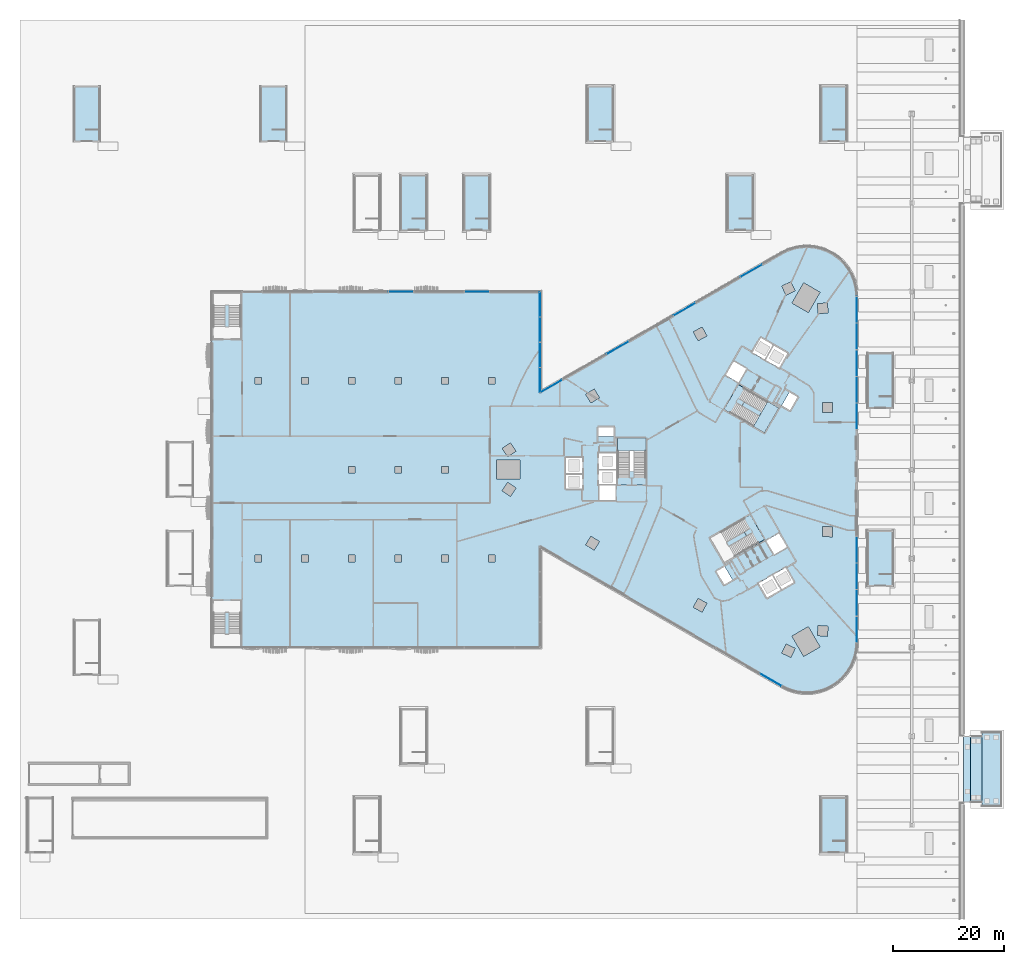
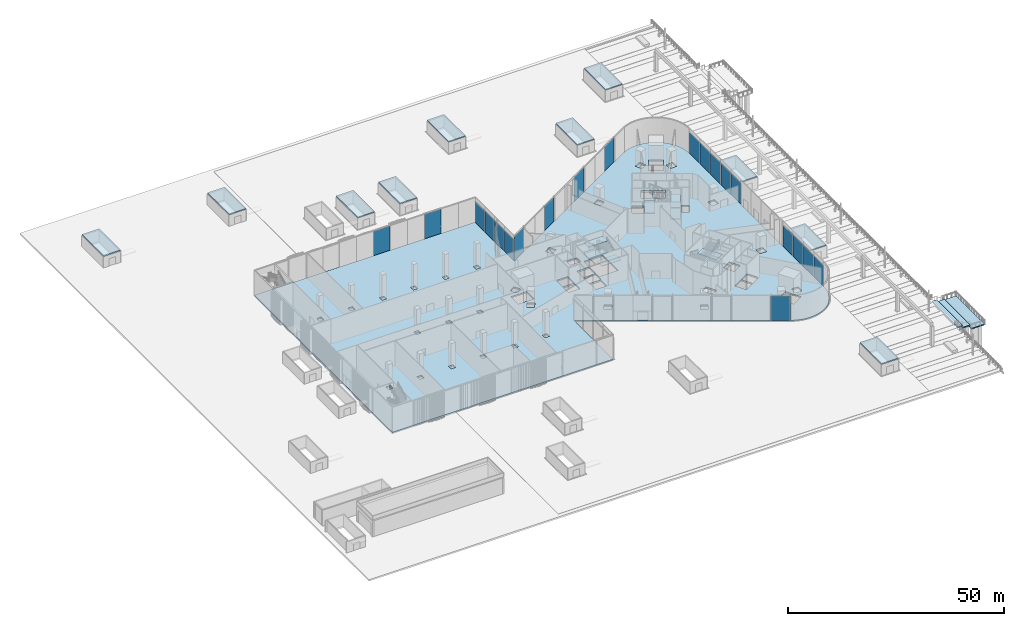
# One storey, part 10 of 41: 21 slabs, 20 plates, 6 elements without a shape of their own.
"""IFC4 building model written with IfcOpenShell, lengths in metres."""

from ifc_helpers import new_model, si_unit, direction, frame, origin, origin_2d, place, context, subcontext, project, spatial, polyline, rectangle, outline, extrude, material, layer, layer_set, type_object, element, aggregate, save


model = new_model("IFC4")

# Units and contexts
model_context = context("Model", 3, precision=1e-05, world=origin(), true_north=direction((0.0, 1.0)))
body_context = subcontext(model_context, "Body", "Model", "MODEL_VIEW")
ifc_project = project(units=[si_unit("LENGTHUNIT", "METRE"), si_unit("AREAUNIT", "SQUARE_METRE"), si_unit("VOLUMEUNIT", "CUBIC_METRE"), si_unit("PLANEANGLEUNIT", "RADIAN"), si_unit("MASSUNIT", "GRAM", prefix="KILO")], contexts=[model_context])

# Site, building, storey
site_placement = place(None, origin())
site = spatial("IfcSite", under=ifc_project, at=site_placement, CompositionType="ELEMENT")
building_placement = place(site_placement, origin())
building = spatial("IfcBuilding", under=site, at=building_placement, Name="Tamra Quay Hotel Tower", CompositionType="ELEMENT")
storey_placement = place(building_placement, origin())
storey = spatial("IfcBuildingStorey", under=building, at=storey_placement, Name="L00", CompositionType="ELEMENT", Elevation=0.0)

# Slabs
ifc_material_1 = material(Name="Concrete M60", Category="concrete")
ifc_layer_1 = layer(ifc_material_1, 0.300048828125)
ifc_layer_set_1 = layer_set([ifc_layer_1], Name="Concrete M60 ramp hall roof slab 300")
slab_type_1 = type_object("IfcSlabType", Name="Concrete M60 ramp hall roof slab 300", PredefinedType="ROOF", material=ifc_layer_set_1)
slab_1_placement = place(storey_placement, frame((0.0, 0.0, 3.199951171875)))
element("IfcSlab", 1, at=slab_1_placement, inside=storey, type_object=slab_type_1, Name="Exit stair BS2 roof", PredefinedType="ROOF", context=body_context, shape_type="SweptSolid", body=[
    extrude(outline(polyline([(-109.300048828125, 59.0), (-109.300048828125, 69.0), (-113.85009765625, 69.0), (-113.85009765625, 59.0), (-109.300048828125, 59.0)])), origin(), (0.0, 0.0, 1.0), 0.300048828125),
])
slab_2_placement = place(storey_placement, frame((0.0, 0.0, 3.199951171875)))
element("IfcSlab", 2, at=slab_2_placement, inside=storey, type_object=slab_type_1, Name="Exit stair BS5 roof", PredefinedType="ROOF", context=body_context, shape_type="SweptSolid", body=[
    extrude(outline(polyline([(-75.699951171875, 59.0), (-75.699951171875, 69.0), (-80.25, 69.0), (-80.25, 59.0), (-75.699951171875, 59.0)])), origin(), (0.0, 0.0, 1.0), 0.300048828125),
])
slab_3_placement = place(storey_placement, frame((0.0, 0.0, 3.199951171875)))
element("IfcSlab", 3, at=slab_3_placement, inside=storey, type_object=slab_type_1, Name="Exit stair BS9 roof", PredefinedType="ROOF", context=body_context, shape_type="SweptSolid", body=[
    extrude(outline(polyline([(-50.5, 43.0), (-50.5, 53.0), (-55.050048828125, 53.0), (-55.050048828125, 43.0), (-50.5, 43.0)])), origin(), (0.0, 0.0, 1.0), 0.300048828125),
])
slab_4_placement = place(storey_placement, frame((0.0, 0.0, 3.199951171875)))
element("IfcSlab", 4, at=slab_4_placement, inside=storey, type_object=slab_type_1, Name="Exit stair BS11 roof", PredefinedType="ROOF", context=body_context, shape_type="SweptSolid", body=[
    extrude(outline(polyline([(-16.89990234375, 59.0), (-16.89990234375, 69.0), (-21.449951171875, 69.0), (-21.449951171875, 59.0), (-16.89990234375, 59.0)])), origin(), (0.0, 0.0, 1.0), 0.300048828125),
])
slab_5_placement = place(storey_placement, frame((0.0, 0.0, 3.199951171875)))
element("IfcSlab", 5, at=slab_5_placement, inside=storey, type_object=slab_type_1, Name="Exit stair BS12 roof", PredefinedType="ROOF", context=body_context, shape_type="SweptSolid", body=[
    extrude(outline(polyline([(8.300048828125, 43.0), (8.300048828125, 53.0), (3.75, 53.0), (3.75, 43.0), (8.300048828125, 43.0)])), origin(), (0.0, 0.0, 1.0), 0.300048828125),
])
slab_6_placement = place(storey_placement, frame((0.0, 0.0, 3.199951171875)))
element("IfcSlab", 6, at=slab_6_placement, inside=storey, type_object=slab_type_1, Name="Exit stair BS13 roof", PredefinedType="ROOF", context=body_context, shape_type="SweptSolid", body=[
    extrude(outline(polyline([(25.10009765625, -69.0), (25.10009765625, -59.0), (20.550048828125, -59.0), (20.550048828125, -69.0), (25.10009765625, -69.0)])), origin(), (0.0, 0.0, 1.0), 0.300048828125),
])
slab_7_placement = place(storey_placement, frame((0.0, 0.0, 3.199951171875)))
element("IfcSlab", 7, at=slab_7_placement, inside=storey, type_object=slab_type_1, Name="Exit stair BS14 roof", PredefinedType="ROOF", context=body_context, shape_type="SweptSolid", body=[
    extrude(outline(polyline([(25.10009765625, 59.0), (25.10009765625, 69.0), (20.550048828125, 69.0), (20.550048828125, 59.0), (25.10009765625, 59.0)])), origin(), (0.0, 0.0, 1.0), 0.300048828125),
])
slab_8_placement = place(storey_placement, frame((0.0, 0.0, 3.199951171875)))
element("IfcSlab", 8, at=slab_8_placement, inside=storey, type_object=slab_type_1, Name="Exit stair BS15 roof", PredefinedType="ROOF", context=body_context, shape_type="SweptSolid", body=[
    extrude(outline(polyline([(33.5, -21.0), (33.5, -11.0), (28.949951171875, -11.0), (28.949951171875, -21.0), (33.5, -21.0)])), origin(), (0.0, 0.0, 1.0), 0.300048828125),
])
slab_9_placement = place(storey_placement, frame((0.0, 0.0, 3.199951171875)))
element("IfcSlab", 9, at=slab_9_placement, inside=storey, type_object=slab_type_1, Name="Exit stair BS16 roof", PredefinedType="ROOF", context=body_context, shape_type="SweptSolid", body=[
    extrude(outline(polyline([(33.5, 11.0), (33.5, 21.0), (28.949951171875, 21.0), (28.949951171875, 11.0), (33.5, 11.0)])), origin(), (0.0, 0.0, 1.0), 0.300048828125),
])
slab_10_placement = place(storey_placement, frame((0.0, 0.0, 3.199951171875)))
element("IfcSlab", 10, at=slab_10_placement, inside=storey, type_object=slab_type_1, Name="Exit stair BS17 roof", PredefinedType="ROOF", context=body_context, shape_type="SweptSolid", body=[
    extrude(outline(polyline([(-39.14990234375, 43.0), (-39.14990234375, 53.0), (-43.699951171875, 53.0), (-43.699951171875, 43.0), (-39.14990234375, 43.0)])), origin(), (0.0, 0.0, 1.0), 0.300048828125),
])

# Stair, slabs
ifc_material_2 = material(Name="Exit stair 2200 60 risers 125.0 going 305")
stair_type = type_object("IfcStairType", Name="Exit stair 2200 60 risers 125.0 going 305", PredefinedType="HALF_TURN_STAIR", material=ifc_material_2)
stair_1_placement = place(storey_placement, origin())
stair_1 = element("IfcStair", 11, at=stair_1_placement, inside=storey, type_object=stair_type, Name="L00 Exit stair ST3", PredefinedType="HALF_TURN_STAIR")
ifc_material_3 = material(Name="Concrete M70", Category="concrete")
ifc_layer_2 = layer(ifc_material_3, 0.175048828125)
ifc_layer_set_2 = layer_set([ifc_layer_2], Name="Concrete M70 stair landing 180")
slab_type_2 = type_object("IfcSlabType", Name="Concrete M70 stair landing 180", PredefinedType="LANDING", material=ifc_layer_set_2)
slab_11_placement = place(storey_placement, frame((0.0, 0.0, 1.949951171875)))
slab_11 = element("IfcSlab", 12, at=slab_11_placement, type_object=slab_type_2, Name="ST3 landing 1", PredefinedType="LANDING", context=body_context, shape_type="SweptSolid", body=[
    extrude(outline(polyline([(-10.932373046875, 3.3798828125), (-10.932373046875, 5.679931640625), (-16.09130859375, 5.679931640625), (-16.09130859375, 3.3798828125), (-10.932373046875, 3.3798828125)])), origin(), (0.0, 0.0, 1.0), 0.175048828125),
])
slab_12_placement = place(storey_placement, frame((0.0, 0.0, 3.574951171875)))
slab_12 = element("IfcSlab", 13, at=slab_12_placement, type_object=slab_type_2, Name="ST3 landing 2", PredefinedType="LANDING", context=body_context, shape_type="SweptSolid", body=[
    extrude(outline(polyline([(-10.932373046875, -2.72998046875), (-10.932373046875, -0.239990234375), (-16.09130859375, -0.239990234375), (-16.09130859375, -2.72998046875), (-10.932373046875, -2.72998046875)])), origin(), (0.0, 0.0, 1.0), 0.175048828125),
])
slab_13_placement = place(storey_placement, frame((0.0, 0.0, 5.199951171875)))
slab_13 = element("IfcSlab", 14, at=slab_13_placement, type_object=slab_type_2, Name="ST3 landing 3", PredefinedType="LANDING", context=body_context, shape_type="SweptSolid", body=[
    extrude(outline(polyline([(-10.932373046875, 3.3798828125), (-10.932373046875, 5.679931640625), (-16.09130859375, 5.679931640625), (-16.09130859375, 3.3798828125), (-10.932373046875, 3.3798828125)])), origin(), (0.0, 0.0, 1.0), 0.175048828125),
])
aggregate(stair_1, [slab_11, slab_12, slab_13])

stair_2_placement = place(storey_placement, origin())
stair_2 = element("IfcStair", 15, at=stair_2_placement, inside=storey, type_object=stair_type, Name="L00 Exit stair ST1", PredefinedType="HALF_TURN_STAIR")
slab_14_placement = place(storey_placement, frame((0.0, 0.0, 1.949951171875)))
slab_14 = element("IfcSlab", 16, at=slab_14_placement, type_object=slab_type_2, Name="ST1 landing 1", PredefinedType="LANDING", context=body_context, shape_type="SweptSolid", body=[
    extrude(outline(polyline([(8.393310546875, 7.777587890625), (10.385009765625, 6.627685546875), (12.964599609375, 11.095458984375), (10.97265625, 12.24560546875), (8.393310546875, 7.777587890625)])), origin(), (0.0, 0.0, 1.0), 0.175048828125),
])
slab_15_placement = place(storey_placement, frame((0.0, 0.0, 3.574951171875)))
slab_15 = element("IfcSlab", 17, at=slab_15_placement, type_object=slab_type_2, Name="ST1 landing 2", PredefinedType="LANDING", context=body_context, shape_type="SweptSolid", body=[
    extrude(outline(polyline([(3.101806640625, 10.832763671875), (5.25830078125, 9.587646484375), (7.837646484375, 14.055419921875), (5.681396484375, 15.300537109375), (3.101806640625, 10.832763671875)])), origin(), (0.0, 0.0, 1.0), 0.175048828125),
])
slab_16_placement = place(storey_placement, frame((0.0, 0.0, 5.199951171875)))
slab_16 = element("IfcSlab", 18, at=slab_16_placement, type_object=slab_type_2, Name="ST1 landing 3", PredefinedType="LANDING", context=body_context, shape_type="SweptSolid", body=[
    extrude(outline(polyline([(8.393310546875, 7.777587890625), (10.385009765625, 6.627685546875), (12.964599609375, 11.095458984375), (10.97265625, 12.24560546875), (8.393310546875, 7.777587890625)])), origin(), (0.0, 0.0, 1.0), 0.175048828125),
])
aggregate(stair_2, [slab_14, slab_15, slab_16])

# Stair, slab
stair_3_placement = place(storey_placement, origin())
stair_3 = element("IfcStair", 19, at=stair_3_placement, inside=storey, type_object=stair_type, Name="L00 Exit stair ST2", PredefinedType="HALF_TURN_STAIR")
slab_17_placement = place(storey_placement, frame((0.0, 0.0, 3.574951171875)))
slab_17 = element("IfcSlab", 20, at=slab_17_placement, type_object=slab_type_2, Name="ST2 landing 2", PredefinedType="LANDING", context=body_context, shape_type="SweptSolid", body=[
    extrude(outline(polyline([(7.83056640625, -8.1025390625), (5.674072265625, -9.34765625), (8.253662109375, -13.8154296875), (10.409912109375, -12.5703125), (7.83056640625, -8.1025390625)])), origin(), (0.0, 0.0, 1.0), 0.175048828125),
])
aggregate(stair_3, [slab_17])

# Slab
ifc_layer_3 = layer(ifc_material_1, 0.449951171875)
ifc_layer_set_3 = layer_set([ifc_layer_3], Name="FLOOR SLAB PT 450")
slab_type_3 = type_object("IfcSlabType", Name="FLOOR SLAB PT 450", PredefinedType="FLOOR", material=ifc_layer_set_3)
slab_18_placement = place(storey_placement, frame((0.0, 0.0, -0.449951171875)))
element("IfcSlab", 21, at=slab_18_placement, inside=storey, type_object=slab_type_3, Name="SLAB-L00", PredefinedType="FLOOR", context=body_context, shape_type="SweptSolid", body=[
    extrude(outline(polyline([(-89.10009765625, -32.0), (-89.10009765625, 32.0), (-30.0, 32.0), (-30.0, 13.8564453125), (13.5, 38.97119140625), (14.019287109375, 39.248779296875), (14.555908203125, 39.49169921875), (15.10693359375, 39.69921875), (15.670654296875, 39.8701171875), (16.244140625, 40.00390625), (16.8251953125, 40.099853515625), (17.411376953125, 40.15771484375), (18.0, 40.177001953125), (18.588623046875, 40.15771484375), (19.1748046875, 40.099853515625), (19.755859375, 40.00390625), (20.329345703125, 39.8701171875), (20.89306640625, 39.69921875), (21.444091796875, 39.49169921875), (21.980712890625, 39.248779296875), (22.5, 38.97119140625), (23.0, 38.66015625), (23.47900390625, 38.317138671875), (23.93408203125, 37.943603515625), (24.364013671875, 37.541015625), (24.7666015625, 37.111083984375), (25.14013671875, 36.65576171875), (25.483154296875, 36.177001953125), (25.794189453125, 35.677001953125), (26.072021484375, 35.157470703125), (26.31494140625, 34.62109375), (26.5224609375, 34.06982421875), (26.693359375, 33.50634765625), (26.8271484375, 32.9326171875), (26.923095703125, 32.351806640625), (26.980712890625, 31.765380859375), (27.0, 31.177001953125), (27.0, -31.177001953125), (26.980712890625, -31.765380859375), (26.923095703125, -32.351806640625), (26.8271484375, -32.9326171875), (26.693359375, -33.50634765625), (26.5224609375, -34.06982421875), (26.31494140625, -34.62109375), (26.072021484375, -35.157470703125), (25.794189453125, -35.677001953125), (25.483154296875, -36.177001953125), (25.14013671875, -36.65576171875), (24.7666015625, -37.111083984375), (24.364013671875, -37.541015625), (23.93408203125, -37.943603515625), (23.47900390625, -38.317138671875), (23.0, -38.66015625), (22.5, -38.97119140625), (21.980712890625, -39.248779296875), (21.444091796875, -39.49169921875), (20.89306640625, -39.69921875), (20.329345703125, -39.8701171875), (19.755859375, -40.00390625), (19.1748046875, -40.099853515625), (18.588623046875, -40.15771484375), (18.0, -40.177001953125), (17.411376953125, -40.15771484375), (16.8251953125, -40.099853515625), (16.244140625, -40.00390625), (15.670654296875, -39.8701171875), (15.10693359375, -39.69921875), (14.555908203125, -39.49169921875), (14.019287109375, -39.248779296875), (13.5, -38.97119140625), (-30.0, -13.8564453125), (-30.0, -32.0), (-89.10009765625, -32.0)]), holes=[polyline([(-46.5, -16.60009765625), (-46.5, -15.39990234375), (-47.699951171875, -15.39990234375), (-47.699951171875, -16.60009765625), (-46.5, -16.60009765625)]), polyline([(-80.10009765625, -16.60009765625), (-80.10009765625, -15.39990234375), (-81.300048828125, -15.39990234375), (-81.300048828125, -16.60009765625), (-80.10009765625, -16.60009765625)]), polyline([(-56.10009765625, -16.60009765625), (-54.89990234375, -16.60009765625), (-54.89990234375, -15.39990234375), (-56.10009765625, -15.39990234375), (-56.10009765625, -16.60009765625)]), polyline([(-72.89990234375, -16.60009765625), (-71.699951171875, -16.60009765625), (-71.699951171875, -15.39990234375), (-72.89990234375, -15.39990234375), (-72.89990234375, -16.60009765625)]), polyline([(-63.300048828125, -16.60009765625), (-63.300048828125, -15.39990234375), (-64.5, -15.39990234375), (-64.5, -16.60009765625), (-63.300048828125, -16.60009765625)]), polyline([(-63.300048828125, -0.60009765625), (-63.300048828125, 0.60009765625), (-64.5, 0.60009765625), (-64.5, -0.60009765625), (-63.300048828125, -0.60009765625)]), polyline([(-46.5, -0.60009765625), (-46.5, 0.60009765625), (-47.699951171875, 0.60009765625), (-47.699951171875, -0.60009765625), (-46.5, -0.60009765625)]), polyline([(-54.89990234375, -0.60009765625), (-54.89990234375, 0.60009765625), (-56.10009765625, 0.60009765625), (-56.10009765625, -0.60009765625), (-54.89990234375, -0.60009765625)]), polyline([(-63.300048828125, 15.39990234375), (-63.300048828125, 16.60009765625), (-64.5, 16.60009765625), (-64.5, 15.39990234375), (-63.300048828125, 15.39990234375)]), polyline([(-72.89990234375, 15.39990234375), (-71.699951171875, 15.39990234375), (-71.699951171875, 16.60009765625), (-72.89990234375, 16.60009765625), (-72.89990234375, 15.39990234375)]), polyline([(-56.10009765625, 15.39990234375), (-54.89990234375, 15.39990234375), (-54.89990234375, 16.60009765625), (-56.10009765625, 16.60009765625), (-56.10009765625, 15.39990234375)]), polyline([(-80.10009765625, 15.39990234375), (-80.10009765625, 16.60009765625), (-81.300048828125, 16.60009765625), (-81.300048828125, 15.39990234375), (-80.10009765625, 15.39990234375)]), polyline([(-46.5, 15.39990234375), (-46.5, 16.60009765625), (-47.699951171875, 16.60009765625), (-47.699951171875, 15.39990234375), (-46.5, 15.39990234375)]), polyline([(-1.56005859375, -23.202392578125), (-2.417236328125, -24.785400390625), (-0.83447265625, -25.642578125), (0.022705078125, -24.059814453125), (-1.56005859375, -23.202392578125)]), polyline([(11.78564453125, -19.02294921875), (9.325927734375, -20.443115234375), (10.845947265625, -23.075927734375), (13.3056640625, -21.65576171875), (11.78564453125, -19.02294921875)]), polyline([(3.1328125, -20.71630859375), (4.631103515625, -19.851318359375), (3.236083984375, -17.43505859375), (1.73779296875, -18.300048828125), (3.1328125, -20.71630859375)]), polyline([(-38.10009765625, -16.60009765625), (-38.10009765625, -15.39990234375), (-39.300048828125, -15.39990234375), (-39.300048828125, -16.60009765625), (-38.10009765625, -16.60009765625)]), polyline([(12.05615234375, -15.171875), (11.969482421875, -15.2216796875), (12.03955078125, -15.343017578125), (14.455810546875, -13.947998046875), (13.0107421875, -11.4453125), (10.68115234375, -12.790283203125), (12.05615234375, -15.171875)]), polyline([(-21.789794921875, -13.543701171875), (-20.256103515625, -14.48583984375), (-19.31396484375, -12.9521484375), (-20.84765625, -12.010009765625), (-21.789794921875, -13.543701171875)]), polyline([(-19.4072265625, -2.85498046875), (-19.4072265625, -2.89306640625), (-19.307373046875, -2.89306640625), (-19.307373046875, -5.544921875), (-16.417236328125, -5.544921875), (-16.417236328125, -2.89306640625), (-16.3173828125, -2.89306640625), (-16.3173828125, -2.85498046875), (-19.4072265625, -2.85498046875)]), polyline([(-36.8330078125, -3.8076171875), (-35.3408203125, -4.814208984375), (-34.333984375, -3.322021484375), (-35.826416015625, -2.3154296875), (-36.8330078125, -3.8076171875)]), polyline([(-22.3671875, -3.445068359375), (-22.3671875, -0.905029296875), (-25.4072265625, -0.905029296875), (-25.4072265625, -3.445068359375), (-22.3671875, -3.445068359375)]), polyline([(-19.417236328125, -2.89306640625), (-19.417236328125, -2.64501953125), (-16.307373046875, -2.64501953125), (-16.307373046875, -2.89306640625), (-16.26708984375, -2.89306640625), (-16.26708984375, -0.10498046875), (-19.45751953125, -0.10498046875), (-19.45751953125, -2.89306640625), (-19.417236328125, -2.89306640625)]), polyline([(-37.828857421875, 1.699951171875), (-37.828857421875, -1.699951171875), (-33.62890625, -1.699951171875), (-33.62890625, 1.699951171875), (-37.828857421875, 1.699951171875)]), polyline([(-22.3671875, -0.695068359375), (-22.3671875, 2.14501953125), (-25.4072265625, 2.14501953125), (-25.4072265625, -0.695068359375), (-22.3671875, -0.695068359375)]), polyline([(-16.26708984375, 0.10498046875), (-16.26708984375, 2.945068359375), (-19.45751953125, 2.945068359375), (-19.45751953125, 0.10498046875), (-16.26708984375, 0.10498046875)]), polyline([(-10.9873046875, -1.455078125), (-10.9873046875, 5.625), (-16.036376953125, 5.625), (-16.036376953125, -1.455078125), (-10.9873046875, -1.455078125)]), polyline([(-35.3408203125, 4.814208984375), (-36.8330078125, 3.8076171875), (-35.826416015625, 2.3154296875), (-34.333984375, 3.322021484375), (-35.3408203125, 4.814208984375)]), polyline([(-19.50732421875, 7.64501953125), (-19.50732421875, 5.9150390625), (-16.71728515625, 5.9150390625), (-16.71728515625, 7.64501953125), (-19.50732421875, 7.64501953125)]), polyline([(-20.256103515625, 14.48583984375), (-21.789794921875, 13.543701171875), (-20.84765625, 12.010009765625), (-19.31396484375, 12.9521484375), (-20.256103515625, 14.48583984375)]), polyline([(-39.300048828125, 15.39990234375), (-38.10009765625, 15.39990234375), (-38.10009765625, 16.60009765625), (-39.300048828125, 16.60009765625), (-39.300048828125, 15.39990234375)]), polyline([(5.736083984375, 15.645263671875), (7.111083984375, 18.02685546875), (7.19775390625, 17.976806640625), (7.267578125, 18.09814453125), (4.8515625, 19.4931640625), (3.406494140625, 16.990234375), (5.736083984375, 15.645263671875)]), polyline([(10.58154296875, 19.718017578125), (13.041259765625, 18.298095703125), (14.561279296875, 20.930908203125), (12.101806640625, 22.350830078125), (10.58154296875, 19.718017578125)]), polyline([(10.39990234375, 19.822998046875), (11.919921875, 22.455810546875), (9.72021484375, 23.725830078125), (8.2001953125, 21.093017578125), (10.39990234375, 19.822998046875)]), polyline([(-0.83447265625, 25.642578125), (-2.417236328125, 24.785400390625), (-1.56005859375, 23.202392578125), (0.022705078125, 24.059814453125), (-0.83447265625, 25.642578125)]), polyline([(14.290283203125, -31.395263671875), (13.501220703125, -33.012939453125), (15.118896484375, -33.802001953125), (15.907958984375, -32.18408203125), (14.290283203125, -31.395263671875)]), polyline([(17.442138671875, -33.61083984375), (20.38671875, -31.910888671875), (18.28662109375, -28.2734375), (15.34228515625, -29.973388671875), (17.442138671875, -33.61083984375)]), polyline([(21.714111328125, -29.994384765625), (21.839599609375, -28.198974609375), (20.0439453125, -28.0732421875), (19.91845703125, -29.868896484375), (21.714111328125, -29.994384765625)]), polyline([(11.96728515625, -18.91796875), (13.487548828125, -21.55078125), (15.68701171875, -20.281005859375), (14.1669921875, -17.648193359375), (11.96728515625, -18.91796875)]), polyline([(22.624267578125, -12.0986328125), (22.67333984375, -10.29931640625), (20.8740234375, -10.250244140625), (20.824951171875, -12.049560546875), (22.624267578125, -12.0986328125)]), polyline([(20.8740234375, 10.250244140625), (22.67333984375, 10.29931640625), (22.624267578125, 12.0986328125), (20.824951171875, 12.049560546875), (20.8740234375, 10.250244140625)]), polyline([(16.37451171875, 13.0712890625), (14.876220703125, 13.936279296875), (13.481201171875, 11.52001953125), (14.9794921875, 10.655029296875), (16.37451171875, 13.0712890625)]), polyline([(20.0439453125, 28.0732421875), (21.839599609375, 28.198974609375), (21.714111328125, 29.994384765625), (19.91845703125, 29.868896484375), (20.0439453125, 28.0732421875)]), polyline([(18.28662109375, 28.2734375), (20.38671875, 31.910888671875), (17.442138671875, 33.61083984375), (15.34228515625, 29.973388671875), (18.28662109375, 28.2734375)]), polyline([(15.118896484375, 33.802001953125), (13.501220703125, 33.012939453125), (14.290283203125, 31.395263671875), (15.907958984375, 32.18408203125), (15.118896484375, 33.802001953125)])]), origin(), (0.0, 0.0, 1.0), 0.449951171875),
])

# Curtain wall, plates
ifc_material_4 = material(Name="Aluminium 6063 anodised dark grey", Category="aluminium")
curtain_wall_type = type_object("IfcCurtainWallType", Name="CW4 CURTAIN WALL", PredefinedType="NOTDEFINED", material=ifc_material_4)
curtain_wall_1_placement = place(storey_placement, origin())
curtain_wall_1 = element("IfcCurtainWall", 22, at=curtain_wall_1_placement, inside=storey, type_object=curtain_wall_type, Name="CW4 east face L00", PredefinedType="NOTDEFINED")
ifc_material_5 = material(Name="Glass clear laminated low-iron", Category="glass")
ifc_layer_4 = layer(ifc_material_5, 0.0400390625)
ifc_layer_set_4 = layer_set([ifc_layer_4], Name="GLASS PANEL CW4")
plate_type = type_object("IfcPlateType", Name="GLASS PANEL CW4", PredefinedType="CURTAIN_PANEL", material=ifc_layer_set_4)
plate_1_placement = place(storey_placement, frame((27.0, -28.77880859375, 0.0), z_axis=(0.0, 0.0, 1.0), x_axis=(0.0, 1.0, 0.0)))
plate_1 = element("IfcPlate", 23, at=plate_1_placement, type_object=plate_type, Name="CW4 glass L00.E.5", PredefinedType="CURTAIN_PANEL", context=body_context, shape_type="SweptSolid", body=[
    extrude(rectangle(XDim=4.676513671875, YDim=0.0400390625, at=origin_2d()), origin(), (0.0, 0.0, 1.0), 5.919921875),
])
plate_2_placement = place(storey_placement, frame((27.0, -23.982177734375, 0.0), z_axis=(0.0, 0.0, 1.0), x_axis=(0.0, 1.0, 0.0)))
plate_2 = element("IfcPlate", 24, at=plate_2_placement, type_object=plate_type, Name="CW4 glass L00.E.6", PredefinedType="CURTAIN_PANEL", context=body_context, shape_type="SweptSolid", body=[
    extrude(rectangle(XDim=4.676513671875, YDim=0.0400390625, at=origin_2d()), origin(), (0.0, 0.0, 1.0), 5.919921875),
])
plate_3_placement = place(storey_placement, frame((27.0, -19.185791015625, 0.0), z_axis=(0.0, 0.0, 1.0), x_axis=(0.0, 1.0, 0.0)))
plate_3 = element("IfcPlate", 25, at=plate_3_placement, type_object=plate_type, Name="CW4 glass L00.E.7", PredefinedType="CURTAIN_PANEL", context=body_context, shape_type="SweptSolid", body=[
    extrude(rectangle(XDim=4.676513671875, YDim=0.0400390625, at=origin_2d()), origin(), (0.0, 0.0, 1.0), 5.919921875),
])
plate_4_placement = place(storey_placement, frame((27.0, -14.389404296875, 0.0), z_axis=(0.0, 0.0, 1.0), x_axis=(0.0, 1.0, 0.0)))
plate_4 = element("IfcPlate", 26, at=plate_4_placement, type_object=plate_type, Name="CW4 glass L00.E.8", PredefinedType="CURTAIN_PANEL", context=body_context, shape_type="SweptSolid", body=[
    extrude(rectangle(XDim=4.676513671875, YDim=0.0400390625, at=origin_2d()), origin(), (0.0, 0.0, 1.0), 5.919921875),
])
plate_5_placement = place(storey_placement, frame((27.0, 9.593017578125, 0.0), z_axis=(0.0, 0.0, 1.0), x_axis=(0.0, 1.0, 0.0)))
plate_5 = element("IfcPlate", 27, at=plate_5_placement, type_object=plate_type, Name="CW4 glass L00.E.9", PredefinedType="CURTAIN_PANEL", context=body_context, shape_type="SweptSolid", body=[
    extrude(rectangle(XDim=4.676513671875, YDim=0.0400390625, at=origin_2d()), origin(), (0.0, 0.0, 1.0), 5.919921875),
])
plate_6_placement = place(storey_placement, frame((27.0, 14.389404296875, 0.0), z_axis=(0.0, 0.0, 1.0), x_axis=(0.0, 1.0, 0.0)))
plate_6 = element("IfcPlate", 28, at=plate_6_placement, type_object=plate_type, Name="CW4 glass L00.E.10", PredefinedType="CURTAIN_PANEL", context=body_context, shape_type="SweptSolid", body=[
    extrude(rectangle(XDim=4.676513671875, YDim=0.0400390625, at=origin_2d()), origin(), (0.0, 0.0, 1.0), 5.919921875),
])
plate_7_placement = place(storey_placement, frame((27.0, 19.185791015625, 0.0), z_axis=(0.0, 0.0, 1.0), x_axis=(0.0, 1.0, 0.0)))
plate_7 = element("IfcPlate", 29, at=plate_7_placement, type_object=plate_type, Name="CW4 glass L00.E.11", PredefinedType="CURTAIN_PANEL", context=body_context, shape_type="SweptSolid", body=[
    extrude(rectangle(XDim=4.676513671875, YDim=0.0400390625, at=origin_2d()), origin(), (0.0, 0.0, 1.0), 5.919921875),
])
plate_8_placement = place(storey_placement, frame((27.0, 23.982177734375, 0.0), z_axis=(0.0, 0.0, 1.0), x_axis=(0.0, 1.0, 0.0)))
plate_8 = element("IfcPlate", 30, at=plate_8_placement, type_object=plate_type, Name="CW4 glass L00.E.12", PredefinedType="CURTAIN_PANEL", context=body_context, shape_type="SweptSolid", body=[
    extrude(rectangle(XDim=4.676513671875, YDim=0.0400390625, at=origin_2d()), origin(), (0.0, 0.0, 1.0), 5.919921875),
])
plate_9_placement = place(storey_placement, frame((27.0, 28.77880859375, 0.0), z_axis=(0.0, 0.0, 1.0), x_axis=(0.0, 1.0, 0.0)))
plate_9 = element("IfcPlate", 31, at=plate_9_placement, type_object=plate_type, Name="CW4 glass L00.E.13", PredefinedType="CURTAIN_PANEL", context=body_context, shape_type="SweptSolid", body=[
    extrude(rectangle(XDim=4.676513671875, YDim=0.0400390625, at=origin_2d()), origin(), (0.0, 0.0, 1.0), 5.919921875),
])
plate_10_placement = place(storey_placement, frame((-30.0, 16.124267578125, 0.0), z_axis=(0.0, 0.0, 1.0), x_axis=(0.0, 1.0, 0.0)))
plate_10 = element("IfcPlate", 32, at=plate_10_placement, type_object=plate_type, Name="CW4 glass L00.E.14", PredefinedType="CURTAIN_PANEL", context=body_context, shape_type="SweptSolid", body=[
    extrude(rectangle(XDim=4.416015625, YDim=0.0400390625, at=origin_2d()), origin(), (0.0, 0.0, 1.0), 5.919921875),
])
plate_11_placement = place(storey_placement, frame((-30.0, 20.66015625, 0.0), z_axis=(0.0, 0.0, 1.0), x_axis=(0.0, 1.0, 0.0)))
plate_11 = element("IfcPlate", 33, at=plate_11_placement, type_object=plate_type, Name="CW4 glass L00.E.15", PredefinedType="CURTAIN_PANEL", context=body_context, shape_type="SweptSolid", body=[
    extrude(rectangle(XDim=4.416015625, YDim=0.0400390625, at=origin_2d()), origin(), (0.0, 0.0, 1.0), 5.919921875),
])
plate_12_placement = place(storey_placement, frame((-30.0, 25.196044921875, 0.0), z_axis=(0.0, 0.0, 1.0), x_axis=(0.0, 1.0, 0.0)))
plate_12 = element("IfcPlate", 34, at=plate_12_placement, type_object=plate_type, Name="CW4 glass L00.E.16", PredefinedType="CURTAIN_PANEL", context=body_context, shape_type="SweptSolid", body=[
    extrude(rectangle(XDim=4.416015625, YDim=0.0400390625, at=origin_2d()), origin(), (0.0, 0.0, 1.0), 5.919921875),
])
plate_13_placement = place(storey_placement, frame((-30.0, 29.73193359375, 0.0), z_axis=(0.0, 0.0, 1.0), x_axis=(0.0, 1.0, 0.0)))
plate_13 = element("IfcPlate", 35, at=plate_13_placement, type_object=plate_type, Name="CW4 glass L00.E.17", PredefinedType="CURTAIN_PANEL", context=body_context, shape_type="SweptSolid", body=[
    extrude(rectangle(XDim=4.416015625, YDim=0.0400390625, at=origin_2d()), origin(), (0.0, 0.0, 1.0), 5.919921875),
])
aggregate(curtain_wall_1, [plate_1, plate_2, plate_3, plate_4, plate_5, plate_6, plate_7, plate_8, plate_9, plate_10, plate_11, plate_12, plate_13])

# Curtain wall, plate
curtain_wall_2_placement = place(storey_placement, origin())
curtain_wall_2 = element("IfcCurtainWall", 36, at=curtain_wall_2_placement, inside=storey, type_object=curtain_wall_type, Name="CW4 south-west face L00", PredefinedType="NOTDEFINED")
plate_14_placement = place(storey_placement, frame((11.522705078125, -37.82958984375, 0.0), z_axis=(0.0, 0.0, 1.0), x_axis=(0.866025403784, -0.5, 0.0)))
plate_14 = element("IfcPlate", 37, at=plate_14_placement, type_object=plate_type, Name="CW4 glass L00.SW.4", PredefinedType="CURTAIN_PANEL", context=body_context, shape_type="SweptSolid", body=[
    extrude(rectangle(XDim=4.4462890625, YDim=0.0400390625, at=origin_2d()), origin(), (0.0, 0.0, 1.0), 6.919921875),
])
aggregate(curtain_wall_2, [plate_14])

# Curtain wall, plates
curtain_wall_3_placement = place(storey_placement, origin())
curtain_wall_3 = element("IfcCurtainWall", 38, at=curtain_wall_3_placement, inside=storey, type_object=curtain_wall_type, Name="CW4 north-west face L00", PredefinedType="NOTDEFINED")
plate_15_placement = place(storey_placement, frame((8.016845703125, 35.7861328125, 0.0), z_axis=(0.0, 0.0, 1.0), x_axis=(-0.866214936261, -0.499671576337, 0.0)))
plate_15 = element("IfcPlate", 39, at=plate_15_placement, type_object=plate_type, Name="CW4 glass L00.NW.1", PredefinedType="CURTAIN_PANEL", context=body_context, shape_type="SweptSolid", body=[
    extrude(rectangle(XDim=4.499755859375, YDim=0.0400390625, at=origin_2d()), origin(), (0.0, 0.0, 1.0), 6.919921875),
])
plate_16_placement = place(storey_placement, frame((-3.988525390625, 28.861083984375, 0.0), z_axis=(0.0, 0.0, 1.0), x_axis=(-0.866214936261, -0.499671576337, 0.0)))
plate_16 = element("IfcPlate", 40, at=plate_16_placement, type_object=plate_type, Name="CW4 glass L00.NW.2", PredefinedType="CURTAIN_PANEL", context=body_context, shape_type="SweptSolid", body=[
    extrude(rectangle(XDim=4.499755859375, YDim=0.0400390625, at=origin_2d()), origin(), (0.0, 0.0, 1.0), 6.919921875),
])
plate_17_placement = place(storey_placement, frame((-15.993896484375, 21.935791015625, 0.0), z_axis=(0.0, 0.0, 1.0), x_axis=(-0.866214936261, -0.499671576337, 0.0)))
plate_17 = element("IfcPlate", 41, at=plate_17_placement, type_object=plate_type, Name="CW4 glass L00.NW.3", PredefinedType="CURTAIN_PANEL", context=body_context, shape_type="SweptSolid", body=[
    extrude(rectangle(XDim=4.499755859375, YDim=0.0400390625, at=origin_2d()), origin(), (0.0, 0.0, 1.0), 6.919921875),
])
plate_18_placement = place(storey_placement, frame((-27.9990234375, 15.010498046875, 0.0), z_axis=(0.0, 0.0, 1.0), x_axis=(-0.866214936261, -0.499671576337, 0.0)))
plate_18 = element("IfcPlate", 42, at=plate_18_placement, type_object=plate_type, Name="CW4 glass L00.NW.4", PredefinedType="CURTAIN_PANEL", context=body_context, shape_type="SweptSolid", body=[
    extrude(rectangle(XDim=4.499755859375, YDim=0.0400390625, at=origin_2d()), origin(), (0.0, 0.0, 1.0), 6.919921875),
])
plate_19_placement = place(storey_placement, frame((-41.365478515625, 32.0, 0.0), z_axis=(0.0, 0.0, 1.0), x_axis=(-1.0, 0.0, 0.0)))
plate_19 = element("IfcPlate", 43, at=plate_19_placement, type_object=plate_type, Name="CW4 glass L00.NW.5", PredefinedType="CURTAIN_PANEL", context=body_context, shape_type="SweptSolid", body=[
    extrude(rectangle(XDim=4.42626953125, YDim=0.0400390625, at=origin_2d()), origin(), (0.0, 0.0, 1.0), 6.919921875),
])
plate_20_placement = place(storey_placement, frame((-55.00390625, 32.0, 0.0), z_axis=(0.0, 0.0, 1.0), x_axis=(-1.0, 0.0, 0.0)))
plate_20 = element("IfcPlate", 44, at=plate_20_placement, type_object=plate_type, Name="CW4 glass L00.NW.6", PredefinedType="CURTAIN_PANEL", context=body_context, shape_type="SweptSolid", body=[
    extrude(rectangle(XDim=4.42626953125, YDim=0.0400390625, at=origin_2d()), origin(), (0.0, 0.0, 1.0), 6.919921875),
])
aggregate(curtain_wall_3, [plate_15, plate_16, plate_17, plate_18, plate_19, plate_20])

# Slabs
ifc_material_6 = material(Name="Concrete M50", Category="concrete")
ifc_layer_5 = layer(ifc_material_6, 0.300048828125)
ifc_layer_set_5 = layer_set([ifc_layer_5], Name="HARBOUR TERRACE 300")
slab_type_4 = type_object("IfcSlabType", Name="HARBOUR TERRACE 300", PredefinedType="LANDING", material=ifc_layer_set_5)
slab_19_placement = place(storey_placement, frame((0.0, 0.0, -0.89990234375)))
element("IfcSlab", 45, at=slab_19_placement, inside=storey, type_object=slab_type_4, Name="Harbour terrace 1.1", PredefinedType="LANDING", context=body_context, shape_type="SweptSolid", body=[
    extrude(outline(polyline([(46.199951171875, -59.93310546875), (47.5, -59.93310546875), (47.5, -47.93310546875), (46.199951171875, -47.93310546875), (46.199951171875, -59.93310546875)])), origin(), (0.0, 0.0, 1.0), 0.2998046875),
])
slab_20_placement = place(storey_placement, frame((0.0, 0.0, -1.5)))
element("IfcSlab", 46, at=slab_20_placement, inside=storey, type_object=slab_type_4, Name="Harbour terrace 1.2", PredefinedType="LANDING", context=body_context, shape_type="SweptSolid", body=[
    extrude(outline(polyline([(47.5, -59.93310546875), (49.5, -59.93310546875), (49.5, -47.93310546875), (47.5, -47.93310546875), (47.5, -59.93310546875)])), origin(), (0.0, 0.0, 1.0), 0.300048828125),
])
ifc_layer_6 = layer(ifc_material_6, 0.300048828125)
ifc_layer_set_6 = layer_set([ifc_layer_6], Name="WATERSIDE LANDING 300")
slab_type_5 = type_object("IfcSlabType", Name="WATERSIDE LANDING 300", PredefinedType="LANDING", material=ifc_layer_set_6)
slab_21_placement = place(storey_placement, frame((0.0, 0.0, -2.10009765625)))
element("IfcSlab", 47, at=slab_21_placement, inside=storey, type_object=slab_type_5, Name="Waterside landing 1", PredefinedType="LANDING", context=body_context, shape_type="SweptSolid", body=[
    extrude(outline(polyline([(49.5, -60.532958984375), (53.0, -60.532958984375), (53.0, -47.3330078125), (49.5, -47.3330078125), (49.5, -60.532958984375)])), origin(), (0.0, 0.0, 1.0), 0.300048828125),
])

save(model, "model.ifc")
